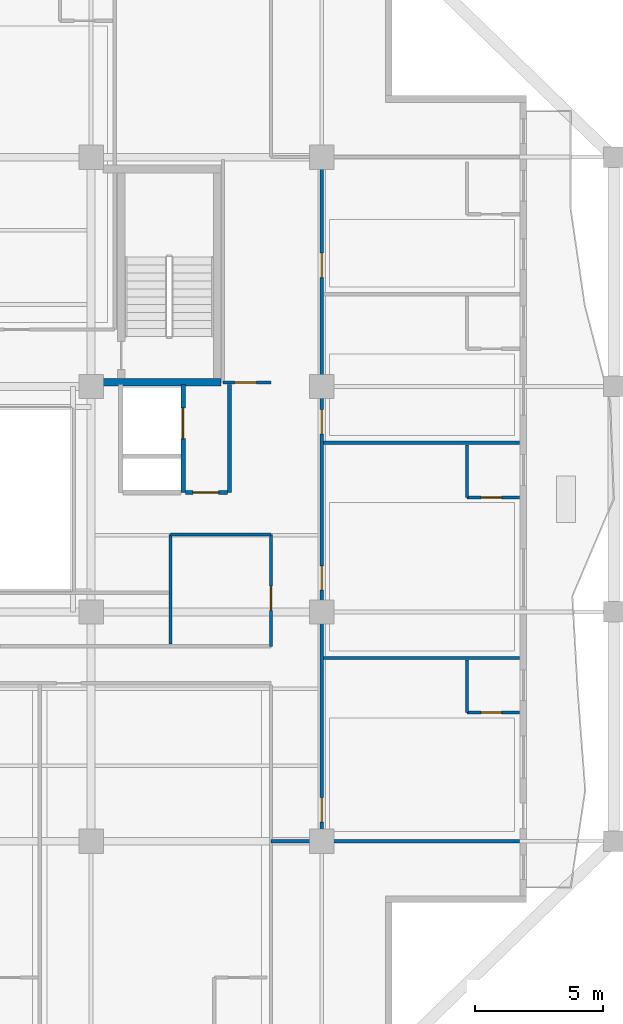
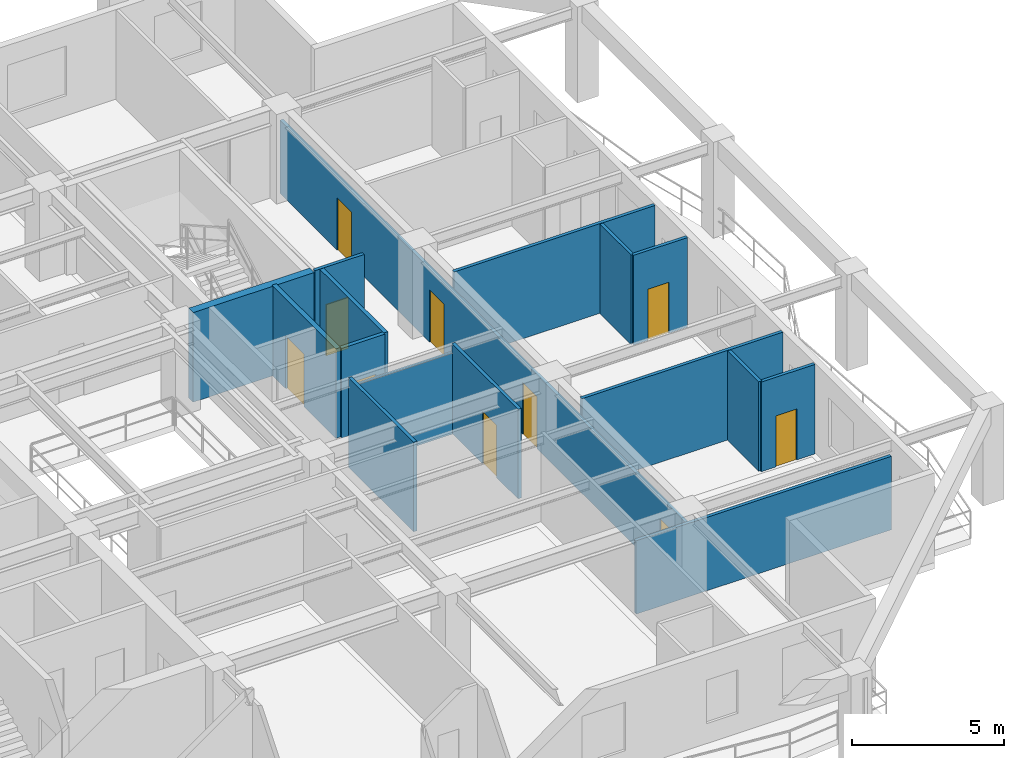
# One storey, part 5 of 13: 16 walls, 10 doors, 10 openings.
"""IFC4 building model written with IfcOpenShell, lengths in metres."""

from ifc_helpers import new_model, si_unit, direction, frame, frame_2d, origin, place, context, subcontext, project, spatial, rectangle, extrude, material, layer, layer_set, type_object, element, fill, save


model = new_model("IFC4")

# Units and contexts
model_context = context("Model", 3, precision=1e-05, world=origin(), true_north=direction((0.0, 1.0)))
body_context = subcontext(model_context, "Body", "Model", "MODEL_VIEW")
ifc_project = project(units=[si_unit("LENGTHUNIT", "METRE"), si_unit("AREAUNIT", "SQUARE_METRE"), si_unit("VOLUMEUNIT", "CUBIC_METRE"), si_unit("PLANEANGLEUNIT", "RADIAN"), si_unit("MASSUNIT", "GRAM", prefix="KILO")], contexts=[model_context])

# Site, building, storey
site_placement = place(None, origin())
site = spatial("IfcSite", under=ifc_project, at=site_placement, CompositionType="ELEMENT")
building_placement = place(site_placement, origin())
building = spatial("IfcBuilding", under=site, at=building_placement, Name="Kundavana Baori Tower", CompositionType="ELEMENT")
storey_placement = place(building_placement, frame((0.0, 0.0, 161.75)))
storey = spatial("IfcBuildingStorey", under=building, at=storey_placement, Name="L39", CompositionType="ELEMENT", Elevation=161.75)

# Wall
ifc_material_1 = material(Name="Fire-Rated Gypsum Drywall on Galvanised Steel Studs", Category="steel")
ifc_layer_1 = layer(ifc_material_1, 0.14990234375, Name="WL-PART-150")
ifc_layer_set_1 = layer_set([ifc_layer_1], Name="Fire-Rated Gypsum Drywall on Galvanised Steel Studs")
wall_type_1 = type_object("IfcWallType", Name="WL-PART-150", PredefinedType="PARTITIONING", material=ifc_layer_set_1)
wall_1_placement = place(storey_placement, frame((39.199951171875, 28.860107421875, 0.0), z_axis=(0.0, 0.0, 1.0), x_axis=(0.0, 1.0, 0.0)))
element("IfcWall", 1, at=wall_1_placement, inside=storey, type_object=wall_type_1, Name="WL-L39-SVLOB-E", PredefinedType="PARTITIONING", context=body_context, shape_type="SweptSolid", body=[
    extrude(rectangle(XDim=4.219970703125, YDim=0.14990234375, at=frame_2d((2.10986328125, 0.0))), origin(), (0.0, 0.0, 1.0), 3.60009765625),
])

# Wall, opening, door
wall_2_placement = place(storey_placement, frame((37.47998046875, 28.860107421875, 0.0), z_axis=(0.0, 0.0, 1.0), x_axis=(1.0, 0.0, 0.0)))
wall_2 = element("IfcWall", 2, at=wall_2_placement, inside=storey, type_object=wall_type_1, Name="WL-L39-SVLOB-S", PredefinedType="PARTITIONING", context=body_context, shape_type="SweptSolid", body=[
    extrude(rectangle(XDim=1.64013671875, YDim=0.14990234375, at=frame_2d((0.820068359375, 0.0))), origin(), (0.0, 0.0, 1.0), 3.60009765625),
])
opening_1_placement = place(wall_2_placement, frame((0.300048828125, 0.0, 0.0)))
opening_1 = element("IfcOpeningElement", 3, at=opening_1_placement, cuts=wall_2, Name="Opening FD-100", PredefinedType="OPENING", context=body_context, shape_type="SweptSolid", body=[
    extrude(rectangle(XDim=1.0, YDim=2.10009765625, at=frame_2d((0.5, 1.050048828125))), frame((0.0, 0.0849609375, 0.0), z_axis=(0.0, -1.0, 0.0), x_axis=(1.0, 0.0, 0.0)), (0.0, 0.0, 1.0), 0.169921875),
])
ifc_material_2 = material(Name="Engineered Teak Fire-Rated Timber Door Leaf", Category="wood")
door_type_1 = type_object("IfcDoorType", Name="DR-FD60-1000", OperationType="NOTDEFINED", PredefinedType="DOOR", material=ifc_material_2)
door_1_placement = place(opening_1_placement, origin())
door_1 = element("IfcDoor", 4, at=door_1_placement, inside=storey, type_object=door_type_1, Name="DR-L39-SVLOB-OUT", OperationType="SINGLE_SWING_LEFT", OverallHeight=2.10009765625, OverallWidth=1.0, PredefinedType="DOOR", context=body_context, shape_type="SweptSolid", body=[
    extrude(rectangle(XDim=1.0, YDim=2.10009765625, at=frame_2d((0.5, 1.050048828125))), frame((0.0, 0.02490234375, 0.0), z_axis=(0.0, -1.0, 0.0), x_axis=(1.0, 0.0, 0.0)), (0.0, 0.0, 1.0), 0.050048828125),
])
fill(opening_1, door_1)

ifc_material_3 = material(Name="Autoclaved Aerated Concrete Blockwork Masonry", Category="masonry")
ifc_layer_2 = layer(ifc_material_3, 0.179931640625, Name="WL-SHAFT-180")
ifc_layer_set_2 = layer_set([ifc_layer_2], Name="Autoclaved Aerated Concrete Blockwork Masonry")
wall_type_2 = type_object("IfcWallType", Name="WL-SHAFT-180", PredefinedType="SOLIDWALL", material=ifc_layer_set_2)
wall_3_placement = place(storey_placement, frame((37.389892578125, 28.860107421875, 0.0), z_axis=(0.0, 0.0, 1.0), x_axis=(0.0, 1.0, 0.0)))
wall_3 = element("IfcWall", 5, at=wall_3_placement, inside=storey, type_object=wall_type_2, Name="WL-L39-SVL-E", PredefinedType="SOLIDWALL", context=body_context, shape_type="SweptSolid", body=[
    extrude(rectangle(XDim=4.219970703125, YDim=0.179931640625, at=frame_2d((2.10986328125, 0.0))), origin(), (0.0, 0.0, 1.0), 3.60009765625),
])
opening_2_placement = place(wall_3_placement, frame((2.10009765625, 0.0, 0.0)))
opening_2 = element("IfcOpeningElement", 6, at=opening_2_placement, cuts=wall_3, Name="Opening LD-120", PredefinedType="OPENING", context=body_context, shape_type="SweptSolid", body=[
    extrude(rectangle(XDim=1.199951171875, YDim=2.1201171875, at=frame_2d((0.60009765625, 1.06005859375))), frame((0.0, 0.10009765625, 0.0), z_axis=(0.0, -1.0, 0.0), x_axis=(1.0, 0.0, 0.0)), (0.0, 0.0, 1.0), 0.199951171875),
])
ifc_material_4 = material(Name="Galvanised Steel Fire-Rated Door Leaf", Category="steel")
door_type_2 = type_object("IfcDoorType", Name="DR-SLIDE-LD1200", OperationType="NOTDEFINED", PredefinedType="DOOR", material=ifc_material_4)
door_2_placement = place(opening_2_placement, frame((1.199951171875, 0.0, 0.0), z_axis=(0.0, 0.0, 1.0), x_axis=(-1.0, 0.0, 0.0)))
door_2 = element("IfcDoor", 7, at=door_2_placement, inside=storey, type_object=door_type_2, Name="DR-L39-LD-SVL1", OperationType="DOUBLE_DOOR_SLIDING", OverallHeight=2.1201171875, OverallWidth=1.199951171875, PredefinedType="DOOR", context=body_context, shape_type="SweptSolid", body=[
    extrude(rectangle(XDim=1.199951171875, YDim=2.1201171875, at=frame_2d((0.60009765625, 1.06005859375))), frame((0.0, 0.02490234375, 0.0), z_axis=(0.0, -1.0, 0.0), x_axis=(1.0, 0.0, 0.0)), (0.0, 0.0, 1.0), 0.050048828125),
])
fill(opening_2, door_2)

# Wall
ifc_material_5 = material(Name="Concrete C50/60", Category="concrete")
ifc_layer_3 = layer(ifc_material_5, 0.300048828125, Name="WL-ST3-300")
ifc_layer_set_3 = layer_set([ifc_layer_3], Name="Concrete C50/60")
wall_type_3 = type_object("IfcWallType", Name="WL-ST3-300", PredefinedType="SHEAR", material=ifc_layer_set_3)
wall_4_placement = place(storey_placement, frame((34.27490234375, 33.159912109375, 0.0), z_axis=(0.0, 0.0, 1.0), x_axis=(1.0, 0.0, 0.0)))
element("IfcWall", 8, at=wall_4_placement, inside=storey, type_object=wall_type_3, Name="L39 Stair ST3 South Shear Wall", PredefinedType="SHEAR", context=body_context, shape_type="SweptSolid", body=[
    extrude(rectangle(XDim=4.59521484375, YDim=0.300048828125, at=frame_2d((2.297607421875, 0.0))), origin(), (0.0, 0.0, 1.0), 3.60009765625),
])

# Wall, openings, doors
ifc_material_6 = material(Name="Autoclaved Aerated Concrete Blockwork Masonry", Category="masonry")
ifc_layer_4 = layer(ifc_material_6, 0.125, Name="WL-WET-120")
ifc_layer_set_4 = layer_set([ifc_layer_4], Name="Autoclaved Aerated Concrete Blockwork Masonry")
wall_type_4 = type_object("IfcWallType", Name="WL-WET-120", PredefinedType="PLUMBINGWALL", material=ifc_layer_set_4)
wall_5_placement = place(storey_placement, frame((42.800048828125, 15.25, 0.0), z_axis=(0.0, 0.0, 1.0), x_axis=(0.0, 1.0, 0.0)))
wall_5 = element("IfcWall", 9, at=wall_5_placement, inside=storey, type_object=wall_type_4, Name="WL-L39-HE", PredefinedType="PLUMBINGWALL", context=body_context, shape_type="SweptSolid", body=[
    extrude(rectangle(XDim=26.699951171875, YDim=0.125, at=frame_2d((13.35009765625, 0.0))), origin(), (0.0, 0.0, 1.0), 2.949951171875),
])
opening_3_placement = place(wall_5_placement, frame((0.75, 0.0, 0.0)))
opening_3 = element("IfcOpeningElement", 10, at=opening_3_placement, cuts=wall_5, Name="Opening FD-095", PredefinedType="OPENING", context=body_context, shape_type="SweptSolid", body=[
    extrude(rectangle(XDim=0.949951171875, YDim=2.10009765625, at=frame_2d((0.47509765625, 1.050048828125))), frame((0.0, 0.072509765625, 0.0), z_axis=(0.0, -1.0, 0.0), x_axis=(1.0, 0.0, 0.0)), (0.0, 0.0, 1.0), 0.14501953125),
])
opening_4_placement = place(wall_5_placement, frame((9.800048828125, 0.0, 0.0)))
opening_4 = element("IfcOpeningElement", 11, at=opening_4_placement, cuts=wall_5, Name="Opening FD-095", PredefinedType="OPENING", context=body_context, shape_type="SweptSolid", body=[
    extrude(rectangle(XDim=0.949951171875, YDim=2.10009765625, at=frame_2d((0.47509765625, 1.050048828125))), frame((0.0, 0.072509765625, 0.0), z_axis=(0.0, -1.0, 0.0), x_axis=(1.0, 0.0, 0.0)), (0.0, 0.0, 1.0), 0.14501953125),
])
opening_5_placement = place(wall_5_placement, frame((15.89990234375, 0.0, 0.0)))
opening_5 = element("IfcOpeningElement", 12, at=opening_5_placement, cuts=wall_5, Name="Opening FD-095", PredefinedType="OPENING", context=body_context, shape_type="SweptSolid", body=[
    extrude(rectangle(XDim=0.949951171875, YDim=2.10009765625, at=frame_2d((0.47509765625, 1.050048828125))), frame((0.0, 0.072509765625, 0.0), z_axis=(0.0, -1.0, 0.0), x_axis=(1.0, 0.0, 0.0)), (0.0, 0.0, 1.0), 0.14501953125),
])
opening_6_placement = place(wall_5_placement, frame((22.0, 0.0, 0.0)))
opening_6 = element("IfcOpeningElement", 13, at=opening_6_placement, cuts=wall_5, Name="Opening FD-095", PredefinedType="OPENING", context=body_context, shape_type="SweptSolid", body=[
    extrude(rectangle(XDim=0.949951171875, YDim=2.10009765625, at=frame_2d((0.47509765625, 1.050048828125))), frame((0.0, 0.072509765625, 0.0), z_axis=(0.0, -1.0, 0.0), x_axis=(1.0, 0.0, 0.0)), (0.0, 0.0, 1.0), 0.14501953125),
])
ifc_material_7 = material(Name="Engineered Teak Fire-Rated Timber Door Leaf", Category="wood")
door_type_3 = type_object("IfcDoorType", Name="DR-FD60-950", OperationType="NOTDEFINED", PredefinedType="DOOR", material=ifc_material_7)
door_3_placement = place(opening_3_placement, origin())
door_3 = element("IfcDoor", 14, at=door_3_placement, inside=storey, type_object=door_type_3, Name="DR-L39-HK-E1-ENT", OperationType="SINGLE_SWING_LEFT", OverallHeight=2.10009765625, OverallWidth=0.949951171875, PredefinedType="DOOR", context=body_context, shape_type="SweptSolid", body=[
    extrude(rectangle(XDim=0.949951171875, YDim=2.10009765625, at=frame_2d((0.47509765625, 1.050048828125))), frame((0.0, 0.02490234375, 0.0), z_axis=(0.0, -1.0, 0.0), x_axis=(1.0, 0.0, 0.0)), (0.0, 0.0, 1.0), 0.050048828125),
])
fill(opening_3, door_3)
door_4_placement = place(opening_4_placement, origin())
door_4 = element("IfcDoor", 15, at=door_4_placement, inside=storey, type_object=door_type_3, Name="DR-L39-HK-E2-ENT", OperationType="SINGLE_SWING_LEFT", OverallHeight=2.10009765625, OverallWidth=0.949951171875, PredefinedType="DOOR", context=body_context, shape_type="SweptSolid", body=[
    extrude(rectangle(XDim=0.949951171875, YDim=2.10009765625, at=frame_2d((0.47509765625, 1.050048828125))), frame((0.0, 0.02490234375, 0.0), z_axis=(0.0, -1.0, 0.0), x_axis=(1.0, 0.0, 0.0)), (0.0, 0.0, 1.0), 0.050048828125),
])
fill(opening_4, door_4)
door_5_placement = place(opening_5_placement, origin())
door_5 = element("IfcDoor", 16, at=door_5_placement, inside=storey, type_object=door_type_3, Name="DR-L39-HK-E3-ENT", OperationType="SINGLE_SWING_LEFT", OverallHeight=2.10009765625, OverallWidth=0.949951171875, PredefinedType="DOOR", context=body_context, shape_type="SweptSolid", body=[
    extrude(rectangle(XDim=0.949951171875, YDim=2.10009765625, at=frame_2d((0.47509765625, 1.050048828125))), frame((0.0, 0.02490234375, 0.0), z_axis=(0.0, -1.0, 0.0), x_axis=(1.0, 0.0, 0.0)), (0.0, 0.0, 1.0), 0.050048828125),
])
fill(opening_5, door_5)
door_6_placement = place(opening_6_placement, origin())
door_6 = element("IfcDoor", 17, at=door_6_placement, inside=storey, type_object=door_type_3, Name="DR-L39-HK-E4-ENT", OperationType="SINGLE_SWING_LEFT", OverallHeight=2.10009765625, OverallWidth=0.949951171875, PredefinedType="DOOR", context=body_context, shape_type="SweptSolid", body=[
    extrude(rectangle(XDim=0.949951171875, YDim=2.10009765625, at=frame_2d((0.47509765625, 1.050048828125))), frame((0.0, 0.02490234375, 0.0), z_axis=(0.0, -1.0, 0.0), x_axis=(1.0, 0.0, 0.0)), (0.0, 0.0, 1.0), 0.050048828125),
])
fill(opening_6, door_6)

# Wall
wall_6_placement = place(storey_placement, frame((40.820068359375, 15.25, 0.0), z_axis=(0.0, 0.0, 1.0), x_axis=(1.0, 0.0, 0.0)))
element("IfcWall", 18, at=wall_6_placement, inside=storey, type_object=wall_type_4, Name="WL-L39-HES", PredefinedType="PLUMBINGWALL", context=body_context, shape_type="SweptSolid", body=[
    extrude(rectangle(XDim=9.699951171875, YDim=0.125, at=frame_2d((4.85009765625, 0.0))), origin(), (0.0, 0.0, 1.0), 2.949951171875),
])

# Wall, opening, door
wall_7_placement = place(storey_placement, frame((40.820068359375, 22.860107421875, 0.0), z_axis=(0.0, 0.0, 1.0), x_axis=(0.0, 1.0, 0.0)))
wall_7 = element("IfcWall", 19, at=wall_7_placement, inside=storey, type_object=wall_type_4, Name="WL-L39-HEW", PredefinedType="PLUMBINGWALL", context=body_context, shape_type="SweptSolid", body=[
    extrude(rectangle(XDim=4.35986328125, YDim=0.125, at=frame_2d((2.179931640625, 0.0))), origin(), (0.0, 0.0, 1.0), 3.60009765625),
])
opening_7_placement = place(wall_7_placement, frame((1.39990234375, 0.0, 0.0)))
opening_7 = element("IfcOpeningElement", 20, at=opening_7_placement, cuts=wall_7, Name="Opening FD-095", PredefinedType="OPENING", context=body_context, shape_type="SweptSolid", body=[
    extrude(rectangle(XDim=0.949951171875, YDim=2.10009765625, at=frame_2d((0.47509765625, 1.050048828125))), frame((0.0, 0.072509765625, 0.0), z_axis=(0.0, -1.0, 0.0), x_axis=(1.0, 0.0, 0.0)), (0.0, 0.0, 1.0), 0.14501953125),
])
door_7_placement = place(opening_7_placement, frame((0.949951171875, 0.0, 0.0), z_axis=(0.0, 0.0, 1.0), x_axis=(-1.0, 0.0, 0.0)))
door_7 = element("IfcDoor", 21, at=door_7_placement, inside=storey, type_object=door_type_3, Name="DR-L39-HSK", OperationType="SINGLE_SWING_RIGHT", OverallHeight=2.10009765625, OverallWidth=0.949951171875, PredefinedType="DOOR", context=body_context, shape_type="SweptSolid", body=[
    extrude(rectangle(XDim=0.949951171875, YDim=2.10009765625, at=frame_2d((0.47509765625, 1.050048828125))), frame((0.0, 0.02490234375, 0.0), z_axis=(0.0, -1.0, 0.0), x_axis=(1.0, 0.0, 0.0)), (0.0, 0.0, 1.0), 0.050048828125),
])
fill(opening_7, door_7)

# Walls
wall_8_placement = place(storey_placement, frame((36.89990234375, 27.219970703125, 0.0), z_axis=(0.0, 0.0, 1.0), x_axis=(1.0, 0.0, 0.0)))
element("IfcWall", 22, at=wall_8_placement, inside=storey, type_object=wall_type_4, Name="WL-L39-HKN", PredefinedType="PLUMBINGWALL", context=body_context, shape_type="SweptSolid", body=[
    extrude(rectangle(XDim=3.920166015625, YDim=0.125, at=frame_2d((1.9599609375, 0.0))), origin(), (0.0, 0.0, 1.0), 3.25),
])
wall_9_placement = place(storey_placement, frame((36.89990234375, 22.93994140625, 0.0), z_axis=(0.0, 0.0, 1.0), x_axis=(0.0, 1.0, 0.0)))
element("IfcWall", 23, at=wall_9_placement, inside=storey, type_object=wall_type_4, Name="WL-L39-HKD", PredefinedType="PLUMBINGWALL", context=body_context, shape_type="SweptSolid", body=[
    extrude(rectangle(XDim=4.280029296875, YDim=0.125, at=frame_2d((2.14013671875, 0.0))), origin(), (0.0, 0.0, 1.0), 3.60009765625),
])
wall_10_placement = place(storey_placement, frame((48.469970703125, 20.27001953125, 0.0), z_axis=(0.0, 0.0, 1.0), x_axis=(0.0, 1.0, 0.0)))
element("IfcWall", 24, at=wall_10_placement, inside=storey, type_object=wall_type_4, Name="WL-L39-HK-E1-BW", PredefinedType="PLUMBINGWALL", context=body_context, shape_type="SweptSolid", body=[
    extrude(rectangle(XDim=2.050048828125, YDim=0.125, at=frame_2d((1.02490234375, 0.0))), origin(), (0.0, 0.0, 1.0), 3.60009765625),
])

# Wall, opening, door
wall_11_placement = place(storey_placement, frame((48.469970703125, 20.27001953125, 0.0), z_axis=(0.0, 0.0, 1.0), x_axis=(1.0, 0.0, 0.0)))
wall_11 = element("IfcWall", 25, at=wall_11_placement, inside=storey, type_object=wall_type_4, Name="WL-L39-HK-E1-BS", PredefinedType="PLUMBINGWALL", context=body_context, shape_type="SweptSolid", body=[
    extrude(rectangle(XDim=2.050048828125, YDim=0.125, at=frame_2d((1.02490234375, 0.0))), origin(), (0.0, 0.0, 1.0), 3.60009765625),
])
opening_8_placement = place(wall_11_placement, frame((0.550048828125, 0.0, 0.0)))
opening_8 = element("IfcOpeningElement", 26, at=opening_8_placement, cuts=wall_11, Name="Opening WD-080", PredefinedType="OPENING", context=body_context, shape_type="SweptSolid", body=[
    extrude(rectangle(XDim=0.800048828125, YDim=2.050048828125, at=frame_2d((0.39990234375, 1.02490234375))), frame((0.0, 0.072509765625, 0.0), z_axis=(0.0, -1.0, 0.0), x_axis=(1.0, 0.0, 0.0)), (0.0, 0.0, 1.0), 0.14501953125),
])
ifc_material_8 = material(Name="Engineered Teak Solid-Core Timber Veneer", Category="wood")
door_type_4 = type_object("IfcDoorType", Name="DR-WET-800", OperationType="NOTDEFINED", PredefinedType="DOOR", material=ifc_material_8)
door_8_placement = place(opening_8_placement, frame((0.800048828125, 0.0, 0.0), z_axis=(0.0, 0.0, 1.0), x_axis=(-1.0, 0.0, 0.0)))
door_8 = element("IfcDoor", 27, at=door_8_placement, inside=storey, type_object=door_type_4, Name="DR-L39-HK-E1-ENS", OperationType="SINGLE_SWING_LEFT", OverallHeight=2.050048828125, OverallWidth=0.800048828125, PredefinedType="DOOR", context=body_context, shape_type="SweptSolid", body=[
    extrude(rectangle(XDim=0.800048828125, YDim=2.050048828125, at=frame_2d((0.39990234375, 1.02490234375))), frame((0.0, 0.02490234375, 0.0), z_axis=(0.0, -1.0, 0.0), x_axis=(1.0, 0.0, 0.0)), (0.0, 0.0, 1.0), 0.050048828125),
])
fill(opening_8, door_8)

# Walls
wall_12_placement = place(storey_placement, frame((42.8798828125, 22.39990234375, 0.0), z_axis=(0.0, 0.0, 1.0), x_axis=(1.0, 0.0, 0.0)))
element("IfcWall", 28, at=wall_12_placement, inside=storey, type_object=wall_type_4, Name="WL-L39-HED1", PredefinedType="PLUMBINGWALL", context=body_context, shape_type="SweptSolid", body=[
    extrude(rectangle(XDim=7.64013671875, YDim=0.125, at=frame_2d((3.820068359375, 0.0))), origin(), (0.0, 0.0, 1.0), 3.60009765625),
])
wall_13_placement = place(storey_placement, frame((48.469970703125, 28.669921875, 0.0), z_axis=(0.0, 0.0, 1.0), x_axis=(0.0, 1.0, 0.0)))
element("IfcWall", 29, at=wall_13_placement, inside=storey, type_object=wall_type_4, Name="WL-L39-HK-E2-BW", PredefinedType="PLUMBINGWALL", context=body_context, shape_type="SweptSolid", body=[
    extrude(rectangle(XDim=2.050048828125, YDim=0.125, at=frame_2d((1.02490234375, 0.0))), origin(), (0.0, 0.0, 1.0), 3.60009765625),
])

# Wall, opening, door
wall_14_placement = place(storey_placement, frame((48.469970703125, 28.669921875, 0.0), z_axis=(0.0, 0.0, 1.0), x_axis=(1.0, 0.0, 0.0)))
wall_14 = element("IfcWall", 30, at=wall_14_placement, inside=storey, type_object=wall_type_4, Name="WL-L39-HK-E2-BS", PredefinedType="PLUMBINGWALL", context=body_context, shape_type="SweptSolid", body=[
    extrude(rectangle(XDim=2.050048828125, YDim=0.125, at=frame_2d((1.02490234375, 0.0))), origin(), (0.0, 0.0, 1.0), 3.60009765625),
])
opening_9_placement = place(wall_14_placement, frame((0.550048828125, 0.0, 0.0)))
opening_9 = element("IfcOpeningElement", 31, at=opening_9_placement, cuts=wall_14, Name="Opening WD-080", PredefinedType="OPENING", context=body_context, shape_type="SweptSolid", body=[
    extrude(rectangle(XDim=0.800048828125, YDim=2.050048828125, at=frame_2d((0.39990234375, 1.02490234375))), frame((0.0, 0.072509765625, 0.0), z_axis=(0.0, -1.0, 0.0), x_axis=(1.0, 0.0, 0.0)), (0.0, 0.0, 1.0), 0.14501953125),
])
door_9_placement = place(opening_9_placement, frame((0.800048828125, 0.0, 0.0), z_axis=(0.0, 0.0, 1.0), x_axis=(-1.0, 0.0, 0.0)))
door_9 = element("IfcDoor", 32, at=door_9_placement, inside=storey, type_object=door_type_4, Name="DR-L39-HK-E2-ENS", OperationType="SINGLE_SWING_LEFT", OverallHeight=2.050048828125, OverallWidth=0.800048828125, PredefinedType="DOOR", context=body_context, shape_type="SweptSolid", body=[
    extrude(rectangle(XDim=0.800048828125, YDim=2.050048828125, at=frame_2d((0.39990234375, 1.02490234375))), frame((0.0, 0.02490234375, 0.0), z_axis=(0.0, -1.0, 0.0), x_axis=(1.0, 0.0, 0.0)), (0.0, 0.0, 1.0), 0.050048828125),
])
fill(opening_9, door_9)

# Wall
wall_15_placement = place(storey_placement, frame((42.8798828125, 30.800048828125, 0.0), z_axis=(0.0, 0.0, 1.0), x_axis=(1.0, 0.0, 0.0)))
element("IfcWall", 33, at=wall_15_placement, inside=storey, type_object=wall_type_4, Name="WL-L39-HED2", PredefinedType="PLUMBINGWALL", context=body_context, shape_type="SweptSolid", body=[
    extrude(rectangle(XDim=7.64013671875, YDim=0.125, at=frame_2d((3.820068359375, 0.0))), origin(), (0.0, 0.0, 1.0), 3.60009765625),
])

# Wall, opening, door
wall_16_placement = place(storey_placement, frame((38.949951171875, 33.14990234375, 0.0), z_axis=(0.0, 0.0, 1.0), x_axis=(1.0, 0.0, 0.0)))
wall_16 = element("IfcWall", 34, at=wall_16_placement, inside=storey, type_object=wall_type_4, Name="WL-L39-HNES", PredefinedType="PLUMBINGWALL", context=body_context, shape_type="SweptSolid", body=[
    extrude(rectangle(XDim=1.8701171875, YDim=0.125, at=frame_2d((0.93505859375, 0.0))), origin(), (0.0, 0.0, 1.0), 3.60009765625),
])
opening_10_placement = place(wall_16_placement, frame((0.449951171875, 0.0, 0.0)))
opening_10 = element("IfcOpeningElement", 35, at=opening_10_placement, cuts=wall_16, Name="Opening WD-085", PredefinedType="OPENING", context=body_context, shape_type="SweptSolid", body=[
    extrude(rectangle(XDim=0.85009765625, YDim=2.050048828125, at=frame_2d((0.425048828125, 1.02490234375))), frame((0.0, 0.072509765625, 0.0), z_axis=(0.0, -1.0, 0.0), x_axis=(1.0, 0.0, 0.0)), (0.0, 0.0, 1.0), 0.14501953125),
])
ifc_material_9 = material(Name="Engineered Teak Solid-Core Timber Veneer", Category="wood")
door_type_5 = type_object("IfcDoorType", Name="DR-WET-850", OperationType="NOTDEFINED", PredefinedType="DOOR", material=ifc_material_9)
door_10_placement = place(opening_10_placement, origin())
door_10 = element("IfcDoor", 36, at=door_10_placement, inside=storey, type_object=door_type_5, Name="DR-L39-HLNE", OperationType="SINGLE_SWING_LEFT", OverallHeight=2.050048828125, OverallWidth=0.85009765625, PredefinedType="DOOR", context=body_context, shape_type="SweptSolid", body=[
    extrude(rectangle(XDim=0.85009765625, YDim=2.050048828125, at=frame_2d((0.425048828125, 1.02490234375))), frame((0.0, 0.02490234375, 0.0), z_axis=(0.0, -1.0, 0.0), x_axis=(1.0, 0.0, 0.0)), (0.0, 0.0, 1.0), 0.050048828125),
])
fill(opening_10, door_10)

save(model, "model.ifc")
